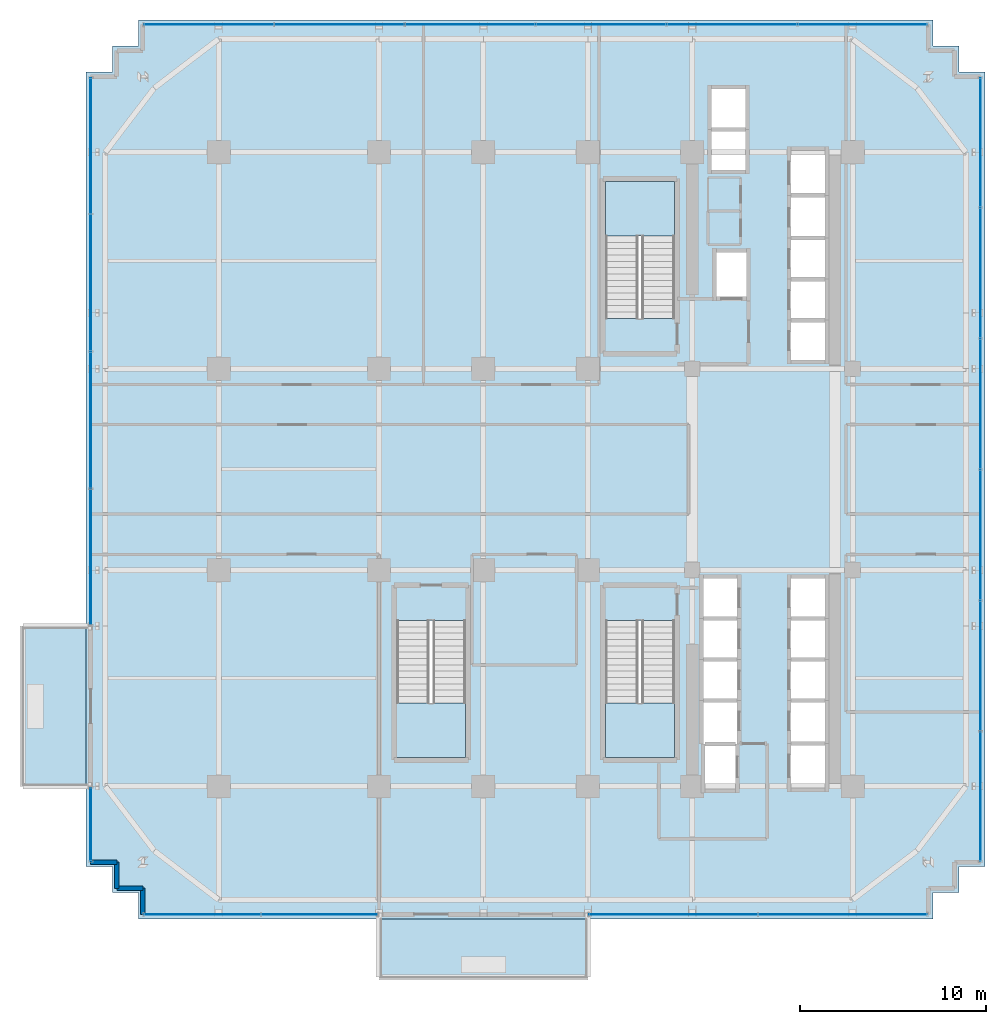
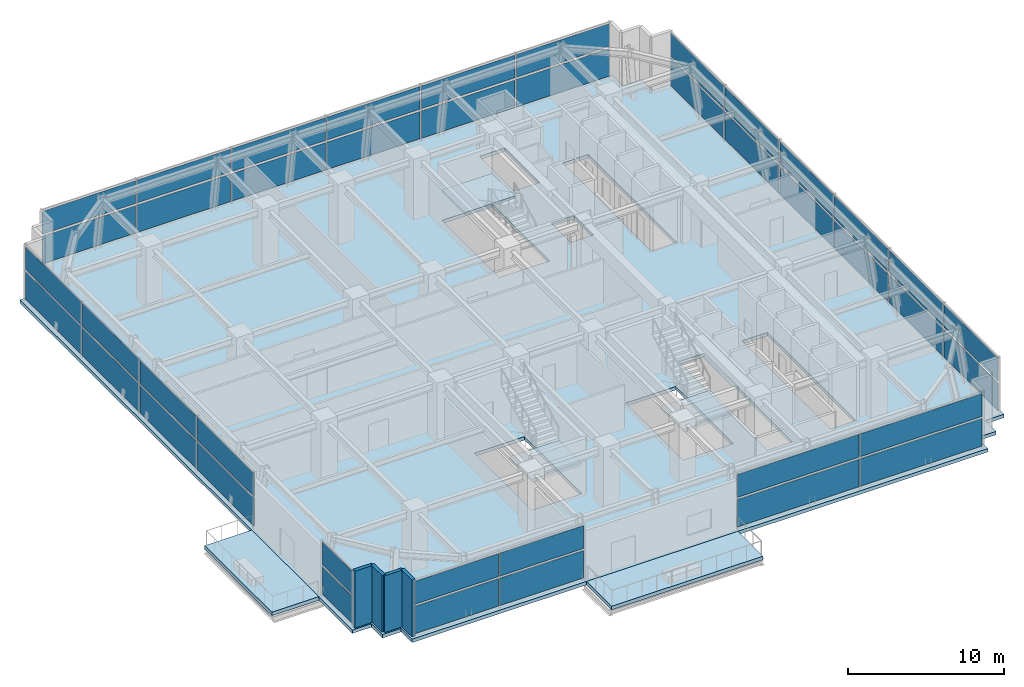
# One storey, part 19 of 26: 42 plates, 6 slabs, 4 walls, 9 elements without a shape of their own.
"""IFC4 building model written with IfcOpenShell, lengths in metres."""

from ifc_helpers import new_model, si_unit, direction, frame, frame_2d, origin, origin_2d, place, context, subcontext, project, spatial, polyline, rectangle, outline, extrude, source, transform, mapped, material, layer, layer_set, type_object, element, aggregate, save


model = new_model("IFC4")

# Units and contexts
model_context = context("Model", 3, precision=1e-05, world=origin(), true_north=direction((0.0, 1.0)))
body_context = subcontext(model_context, "Body", "Model", "MODEL_VIEW")
ifc_project = project(units=[si_unit("LENGTHUNIT", "METRE"), si_unit("AREAUNIT", "SQUARE_METRE"), si_unit("VOLUMEUNIT", "CUBIC_METRE"), si_unit("PLANEANGLEUNIT", "RADIAN"), si_unit("MASSUNIT", "GRAM", prefix="KILO")], contexts=[model_context])

# Site, building, storey
site_placement = place(None, origin())
site = spatial("IfcSite", under=ifc_project, at=site_placement, CompositionType="ELEMENT")
building_placement = place(site_placement, origin())
building = spatial("IfcBuilding", under=site, at=building_placement, Name="Nahalor Promenade Grand Hotel", CompositionType="ELEMENT")
storey_placement = place(building_placement, frame((0.0, 0.0, 139.39990234375)))
storey = spatial("IfcBuildingStorey", under=building, at=storey_placement, Name="L35", CompositionType="ELEMENT", Elevation=139.39990234375)

# Stair, slab
ifc_material_1 = material(Name="Concrete B-50 (C40/50)", Category="concrete")
stair_type_1 = type_object("IfcStairType", Name="Stair-ST1", PredefinedType="HALF_TURN_STAIR", material=ifc_material_1)
stair_1_placement = place(storey_placement, origin())
stair_1 = element("IfcStair", 1, at=stair_1_placement, inside=storey, type_object=stair_type_1, Name="L35 ST1", PredefinedType="HALF_TURN_STAIR")
ifc_layer_1 = layer(ifc_material_1, 0.199951171875)
ifc_layer_set_1 = layer_set([ifc_layer_1], Name="Concrete B-50 (C40/50)")
slab_type_1 = type_object("IfcSlabType", Name="Landing-ST1", PredefinedType="LANDING", material=ifc_layer_set_1)
slab_1_placement = place(storey_placement, frame((0.0, 0.0, 2.2001953125)))
slab_1 = element("IfcSlab", 2, at=slab_1_placement, type_object=slab_type_1, Name="ST1 landing 1", PredefinedType="LANDING", context=body_context, shape_type="SweptSolid", body=[
    extrude(outline(polyline([(7.449951171875, 12.52001953125), (7.449951171875, 15.449951171875), (3.75, 15.449951171875), (3.75, 12.52001953125), (7.449951171875, 12.52001953125)])), origin(), (0.0, 0.0, 1.0), 0.199951171875),
])
aggregate(stair_1, [slab_1])

stair_type_2 = type_object("IfcStairType", Name="Stair-ST2", PredefinedType="HALF_TURN_STAIR", material=ifc_material_1)
stair_2_placement = place(storey_placement, origin())
stair_2 = element("IfcStair", 3, at=stair_2_placement, inside=storey, type_object=stair_type_2, Name="L35 ST2", PredefinedType="HALF_TURN_STAIR")
ifc_layer_2 = layer(ifc_material_1, 0.2099609375)
ifc_layer_set_2 = layer_set([ifc_layer_2], Name="Concrete B-50 (C40/50)")
slab_type_2 = type_object("IfcSlabType", Name="Landing-ST2", PredefinedType="LANDING", material=ifc_layer_set_2)
slab_2_placement = place(storey_placement, frame((0.0, 0.0, 2.190185546875)))
slab_2 = element("IfcSlab", 4, at=slab_2_placement, type_object=slab_type_2, Name="ST2 landing 1", PredefinedType="LANDING", context=body_context, shape_type="SweptSolid", body=[
    extrude(outline(polyline([(3.75, -12.52001953125), (3.75, -15.449951171875), (7.449951171875, -15.449951171875), (7.449951171875, -12.52001953125), (3.75, -12.52001953125)])), origin(), (0.0, 0.0, 1.0), 0.2099609375),
])
aggregate(stair_2, [slab_2])

stair_type_3 = type_object("IfcStairType", Name="Stair-ST3", PredefinedType="HALF_TURN_STAIR", material=ifc_material_1)
stair_3_placement = place(storey_placement, origin())
stair_3 = element("IfcStair", 5, at=stair_3_placement, inside=storey, type_object=stair_type_3, Name="L35 ST3", PredefinedType="HALF_TURN_STAIR")
ifc_layer_3 = layer(ifc_material_1, 0.219970703125)
ifc_layer_set_3 = layer_set([ifc_layer_3], Name="Concrete B-50 (C40/50)")
slab_type_3 = type_object("IfcSlabType", Name="Landing-ST3", PredefinedType="LANDING", material=ifc_layer_set_3)
slab_3_placement = place(storey_placement, frame((0.0, 0.0, 2.18017578125)))
slab_3 = element("IfcSlab", 6, at=slab_3_placement, type_object=slab_type_3, Name="ST3 landing 1", PredefinedType="LANDING", context=body_context, shape_type="SweptSolid", body=[
    extrude(outline(polyline([(-7.449951171875, -12.52001953125), (-7.449951171875, -15.449951171875), (-3.75, -15.449951171875), (-3.75, -12.52001953125), (-7.449951171875, -12.52001953125)])), origin(), (0.0, 0.0, 1.0), 0.219970703125),
])
aggregate(stair_3, [slab_3])

# Slabs
ifc_layer_4 = layer(ifc_material_1, 0.280029296875)
ifc_layer_set_4 = layer_set([ifc_layer_4], Name="Concrete B-50 (C40/50)")
slab_type_4 = type_object("IfcSlabType", Name="Slab-Balcony-280", PredefinedType="FLOOR", material=ifc_layer_set_4)
slab_4_placement = place(storey_placement, frame((0.0, 0.0, -0.27978515625)))
element("IfcSlab", 7, at=slab_4_placement, inside=storey, type_object=slab_type_4, Name="L35 Cantilevered Planted Balcony 1", PredefinedType="FLOOR", context=body_context, shape_type="SweptSolid", body=[
    extrude(outline(polyline([(-8.39990234375, -27.31005859375), (2.800048828125, -27.31005859375), (2.800048828125, -24.10009765625), (-8.39990234375, -24.10009765625), (-8.39990234375, -27.31005859375)])), origin(), (0.0, 0.0, 1.0), 0.27978515625),
])
slab_5_placement = place(storey_placement, frame((0.0, 0.0, -0.27978515625)))
element("IfcSlab", 8, at=slab_5_placement, inside=storey, type_object=slab_type_4, Name="L35 Cantilevered Planted Balcony 2", PredefinedType="FLOOR", context=body_context, shape_type="SweptSolid", body=[
    extrude(outline(polyline([(-27.580078125, -17.0), (-24.10009765625, -17.0), (-24.10009765625, -8.39990234375), (-27.580078125, -8.39990234375), (-27.580078125, -17.0)])), origin(), (0.0, 0.0, 1.0), 0.27978515625),
])
ifc_layer_5 = layer(ifc_material_1, 0.27001953125)
ifc_layer_set_5 = layer_set([ifc_layer_5], Name="Concrete B-50 (C40/50)")
slab_type_5 = type_object("IfcSlabType", Name="Slab-TowerZ2-270", PredefinedType="FLOOR", material=ifc_layer_set_5)
slab_6_placement = place(storey_placement, frame((0.0, 0.0, -0.27001953125)))
element("IfcSlab", 9, at=slab_6_placement, inside=storey, type_object=slab_type_5, Name="L35 Suspended Structural Floor Slab", PredefinedType="FLOOR", context=body_context, shape_type="SweptSolid", body=[
    extrude(outline(polyline([(-21.300048828125, -24.10009765625), (21.300048828125, -24.10009765625), (21.300048828125, -22.699951171875), (22.699951171875, -22.699951171875), (22.699951171875, -21.300048828125), (24.10009765625, -21.300048828125), (24.10009765625, 21.300048828125), (22.699951171875, 21.300048828125), (22.699951171875, 22.699951171875), (21.300048828125, 22.699951171875), (21.300048828125, 24.10009765625), (-21.300048828125, 24.10009765625), (-21.300048828125, 22.699951171875), (-22.699951171875, 22.699951171875), (-22.699951171875, 21.300048828125), (-24.10009765625, 21.300048828125), (-24.10009765625, -21.300048828125), (-22.699951171875, -21.300048828125), (-22.699951171875, -22.699951171875), (-21.300048828125, -22.699951171875), (-21.300048828125, -24.10009765625)]), holes=[polyline([(3.75, 8.10009765625), (7.449951171875, 8.10009765625), (7.449951171875, 15.449951171875), (3.75, 15.449951171875), (3.75, 8.10009765625)]), polyline([(3.75, -15.449951171875), (7.449951171875, -15.449951171875), (7.449951171875, -8.10009765625), (3.75, -8.10009765625), (3.75, -15.449951171875)]), polyline([(-7.449951171875, -15.449951171875), (-3.75, -15.449951171875), (-3.75, -8.10009765625), (-7.449951171875, -8.10009765625), (-7.449951171875, -15.449951171875)]), polyline([(13.659912109375, 5.81005859375), (15.5400390625, 5.81005859375), (15.5400390625, 17.139892578125), (13.659912109375, 17.139892578125), (13.659912109375, 5.81005859375)]), polyline([(13.659912109375, -17.139892578125), (15.5400390625, -17.139892578125), (15.5400390625, -5.81005859375), (13.659912109375, -5.81005859375), (13.659912109375, -17.139892578125)]), polyline([(8.9599609375, -17.18994140625), (10.840087890625, -17.18994140625), (10.840087890625, -5.81005859375), (8.9599609375, -5.81005859375), (8.9599609375, -17.18994140625)]), polyline([(9.409912109375, 16.010009765625), (11.2900390625, 16.010009765625), (11.2900390625, 20.43994140625), (9.409912109375, 20.43994140625), (9.409912109375, 16.010009765625)]), polyline([(9.659912109375, 9.2099609375), (11.340087890625, 9.2099609375), (11.340087890625, 11.68994140625), (9.659912109375, 11.68994140625), (9.659912109375, 9.2099609375)])]), origin(), (0.0, 0.0, 1.0), 0.27001953125),
])

# Curtain wall, plates
ifc_material_2 = material(Name="Anodised Bronze Aluminium EN AW-6063 T6", Category="aluminium")
curtain_wall_type = type_object("IfcCurtainWallType", Name="CW5 Sky-Lobby & Observation Panoramic Curtain Wall", PredefinedType="USERDEFINED", material=ifc_material_2)
curtain_wall_1_placement = place(storey_placement, origin())
curtain_wall_1 = element("IfcCurtainWall", 10, at=curtain_wall_1_placement, inside=storey, type_object=curtain_wall_type, Name="L35 Curtain Wall CW-L35-S-1", ObjectType="UNITISED_CURTAIN_WALL", PredefinedType="USERDEFINED")
ifc_material_3 = material(Name="Low-E Laminated Solar Glass", Category="glass")
ifc_layer_6 = layer(ifc_material_3, 0.035888671875)
ifc_layer_set_6 = layer_set([ifc_layer_6], Name="Low-E Laminated Solar Glass")
plate_type = type_object("IfcPlateType", Name="CWP5 Observation Acoustic Triple IGU 36mm", PredefinedType="CURTAIN_PANEL", material=ifc_layer_set_6)
shared_shape_1 = source(origin(), body_context, "Body", "SweptSolid", [
    extrude(rectangle(XDim=6.202392578125, YDim=0.035888671875, at=origin_2d()), origin(), (0.0, 0.0, 1.0), 2.14501953125),
])
plate_1_placement = place(storey_placement, frame((-17.873779296875, -23.860107421875, 0.170166015625), z_axis=(0.0, 0.0, 1.0), x_axis=(1.0, 0.0, 0.0)))
plate_1 = element("IfcPlate", 11, at=plate_1_placement, type_object=plate_type, Name="CW-L35-S-1 Glazing Panel 0-0", PredefinedType="CURTAIN_PANEL", context=body_context, shape_type="MappedRepresentation", body=[
    mapped(shared_shape_1, transform((0.0, 0.0, 0.0), scale=1.0)),
])
plate_2_placement = place(storey_placement, frame((-11.586181640625, -23.860107421875, 0.170166015625), z_axis=(0.0, 0.0, 1.0), x_axis=(1.0, 0.0, 0.0)))
plate_2 = element("IfcPlate", 12, at=plate_2_placement, type_object=plate_type, Name="CW-L35-S-1 Glazing Panel 1-0", PredefinedType="CURTAIN_PANEL", context=body_context, shape_type="MappedRepresentation", body=[
    mapped(shared_shape_1, transform((0.0, 0.0, 0.0), scale=1.0)),
])
shared_shape_2 = source(origin(), body_context, "Body", "SweptSolid", [
    extrude(rectangle(XDim=6.202392578125, YDim=0.035888671875, at=origin_2d()), origin(), (0.0, 0.0, 1.0), 1.784912109375),
])
plate_3_placement = place(storey_placement, frame((-17.873779296875, -23.860107421875, 2.4853515625), z_axis=(0.0, 0.0, 1.0), x_axis=(1.0, 0.0, 0.0)))
plate_3 = element("IfcPlate", 13, at=plate_3_placement, type_object=plate_type, Name="CW-L35-S-1 Glazing Panel 0-1", PredefinedType="CURTAIN_PANEL", context=body_context, shape_type="MappedRepresentation", body=[
    mapped(shared_shape_2, transform((0.0, 0.0, 0.0), scale=1.0)),
])
plate_4_placement = place(storey_placement, frame((-11.586181640625, -23.860107421875, 2.4853515625), z_axis=(0.0, 0.0, 1.0), x_axis=(1.0, 0.0, 0.0)))
plate_4 = element("IfcPlate", 14, at=plate_4_placement, type_object=plate_type, Name="CW-L35-S-1 Glazing Panel 1-1", PredefinedType="CURTAIN_PANEL", context=body_context, shape_type="MappedRepresentation", body=[
    mapped(shared_shape_2, transform((0.0, 0.0, 0.0), scale=1.0)),
])
aggregate(curtain_wall_1, [plate_1, plate_3, plate_2, plate_4])

curtain_wall_2_placement = place(storey_placement, origin())
curtain_wall_2 = element("IfcCurtainWall", 15, at=curtain_wall_2_placement, inside=storey, type_object=curtain_wall_type, Name="L35 Curtain Wall CW-L35-S-3", ObjectType="UNITISED_CURTAIN_WALL", PredefinedType="USERDEFINED")
shared_shape_3 = source(origin(), body_context, "Body", "SweptSolid", [
    extrude(rectangle(XDim=9.00244140625, YDim=0.035888671875, at=origin_2d()), origin(), (0.0, 0.0, 1.0), 2.14501953125),
])
plate_5_placement = place(storey_placement, frame((7.38623046875, -23.860107421875, 0.170166015625), z_axis=(0.0, 0.0, 1.0), x_axis=(1.0, 0.0, 0.0)))
plate_5 = element("IfcPlate", 16, at=plate_5_placement, type_object=plate_type, Name="CW-L35-S-3 Glazing Panel 0-0", PredefinedType="CURTAIN_PANEL", context=body_context, shape_type="MappedRepresentation", body=[
    mapped(shared_shape_3, transform((0.0, 0.0, 0.0), scale=1.0)),
])
plate_6_placement = place(storey_placement, frame((16.4736328125, -23.860107421875, 0.170166015625), z_axis=(0.0, 0.0, 1.0), x_axis=(1.0, 0.0, 0.0)))
plate_6 = element("IfcPlate", 17, at=plate_6_placement, type_object=plate_type, Name="CW-L35-S-3 Glazing Panel 1-0", PredefinedType="CURTAIN_PANEL", context=body_context, shape_type="MappedRepresentation", body=[
    mapped(shared_shape_3, transform((0.0, 0.0, 0.0), scale=1.0)),
])
shared_shape_4 = source(origin(), body_context, "Body", "SweptSolid", [
    extrude(rectangle(XDim=9.00244140625, YDim=0.035888671875, at=origin_2d()), origin(), (0.0, 0.0, 1.0), 1.784912109375),
])
plate_7_placement = place(storey_placement, frame((7.38623046875, -23.860107421875, 2.4853515625), z_axis=(0.0, 0.0, 1.0), x_axis=(1.0, 0.0, 0.0)))
plate_7 = element("IfcPlate", 18, at=plate_7_placement, type_object=plate_type, Name="CW-L35-S-3 Glazing Panel 0-1", PredefinedType="CURTAIN_PANEL", context=body_context, shape_type="MappedRepresentation", body=[
    mapped(shared_shape_4, transform((0.0, 0.0, 0.0), scale=1.0)),
])
plate_8_placement = place(storey_placement, frame((16.4736328125, -23.860107421875, 2.4853515625), z_axis=(0.0, 0.0, 1.0), x_axis=(1.0, 0.0, 0.0)))
plate_8 = element("IfcPlate", 19, at=plate_8_placement, type_object=plate_type, Name="CW-L35-S-3 Glazing Panel 1-1", PredefinedType="CURTAIN_PANEL", context=body_context, shape_type="MappedRepresentation", body=[
    mapped(shared_shape_4, transform((0.0, 0.0, 0.0), scale=1.0)),
])
aggregate(curtain_wall_2, [plate_5, plate_7, plate_6, plate_8])

curtain_wall_3_placement = place(storey_placement, origin())
curtain_wall_3 = element("IfcCurtainWall", 20, at=curtain_wall_3_placement, inside=storey, type_object=curtain_wall_type, Name="L35 Curtain Wall CW-L35-N-1", ObjectType="UNITISED_CURTAIN_WALL", PredefinedType="USERDEFINED")
shared_shape_5 = source(origin(), body_context, "Body", "SweptSolid", [
    extrude(rectangle(XDim=6.892578125, YDim=0.035888671875, at=origin_2d()), origin(), (0.0, 0.0, 1.0), 2.14501953125),
])
plate_9_placement = place(storey_placement, frame((-17.52880859375, 23.860107421875, 0.170166015625), z_axis=(0.0, 0.0, 1.0), x_axis=(1.0, 0.0, 0.0)))
plate_9 = element("IfcPlate", 21, at=plate_9_placement, type_object=plate_type, Name="CW-L35-N-1 Glazing Panel 0-0", PredefinedType="CURTAIN_PANEL", context=body_context, shape_type="MappedRepresentation", body=[
    mapped(shared_shape_5, transform((0.0, 0.0, 0.0), scale=1.0)),
])
plate_10_placement = place(storey_placement, frame((17.52880859375, 23.860107421875, 0.170166015625), z_axis=(0.0, 0.0, 1.0), x_axis=(1.0, 0.0, 0.0)))
plate_10 = element("IfcPlate", 22, at=plate_10_placement, type_object=plate_type, Name="CW-L35-N-1 Glazing Panel 5-0", PredefinedType="CURTAIN_PANEL", context=body_context, shape_type="MappedRepresentation", body=[
    mapped(shared_shape_5, transform((0.0, 0.0, 0.0), scale=1.0)),
])

curtain_wall_4_placement = place(storey_placement, origin())
curtain_wall_4 = element("IfcCurtainWall", 23, at=curtain_wall_4_placement, inside=storey, type_object=curtain_wall_type, Name="L35 Curtain Wall CW-L35-E-1", ObjectType="UNITISED_CURTAIN_WALL", PredefinedType="USERDEFINED")
plate_11_placement = place(storey_placement, frame((23.860107421875, -17.52880859375, 0.170166015625), z_axis=(0.0, 0.0, 1.0), x_axis=(0.0, 1.0, 0.0)))
plate_11 = element("IfcPlate", 24, at=plate_11_placement, type_object=plate_type, Name="CW-L35-E-1 Glazing Panel 0-0", PredefinedType="CURTAIN_PANEL", context=body_context, shape_type="MappedRepresentation", body=[
    mapped(shared_shape_5, transform((0.0, 0.0, 0.0), scale=1.0)),
])
plate_12_placement = place(storey_placement, frame((23.860107421875, 17.52880859375, 0.170166015625), z_axis=(0.0, 0.0, 1.0), x_axis=(0.0, 1.0, 0.0)))
plate_12 = element("IfcPlate", 25, at=plate_12_placement, type_object=plate_type, Name="CW-L35-E-1 Glazing Panel 5-0", PredefinedType="CURTAIN_PANEL", context=body_context, shape_type="MappedRepresentation", body=[
    mapped(shared_shape_5, transform((0.0, 0.0, 0.0), scale=1.0)),
])

# Plate
shared_shape_6 = source(origin(), body_context, "Body", "SweptSolid", [
    extrude(rectangle(XDim=6.892578125, YDim=0.035888671875, at=origin_2d()), origin(), (0.0, 0.0, 1.0), 1.784912109375),
])
plate_13_placement = place(storey_placement, frame((-17.52880859375, 23.860107421875, 2.4853515625), z_axis=(0.0, 0.0, 1.0), x_axis=(1.0, 0.0, 0.0)))
plate_13 = element("IfcPlate", 26, at=plate_13_placement, type_object=plate_type, Name="CW-L35-N-1 Glazing Panel 0-1", PredefinedType="CURTAIN_PANEL", context=body_context, shape_type="MappedRepresentation", body=[
    mapped(shared_shape_6, transform((0.0, 0.0, 0.0), scale=1.0)),
])

plate_14_placement = place(storey_placement, frame((17.52880859375, 23.860107421875, 2.4853515625), z_axis=(0.0, 0.0, 1.0), x_axis=(1.0, 0.0, 0.0)))
plate_14 = element("IfcPlate", 27, at=plate_14_placement, type_object=plate_type, Name="CW-L35-N-1 Glazing Panel 5-1", PredefinedType="CURTAIN_PANEL", context=body_context, shape_type="MappedRepresentation", body=[
    mapped(shared_shape_6, transform((0.0, 0.0, 0.0), scale=1.0)),
])

plate_15_placement = place(storey_placement, frame((23.860107421875, -17.52880859375, 2.4853515625), z_axis=(0.0, 0.0, 1.0), x_axis=(0.0, 1.0, 0.0)))
plate_15 = element("IfcPlate", 28, at=plate_15_placement, type_object=plate_type, Name="CW-L35-E-1 Glazing Panel 0-1", PredefinedType="CURTAIN_PANEL", context=body_context, shape_type="MappedRepresentation", body=[
    mapped(shared_shape_6, transform((0.0, 0.0, 0.0), scale=1.0)),
])

plate_16_placement = place(storey_placement, frame((23.860107421875, 17.52880859375, 2.4853515625), z_axis=(0.0, 0.0, 1.0), x_axis=(0.0, 1.0, 0.0)))
plate_16 = element("IfcPlate", 29, at=plate_16_placement, type_object=plate_type, Name="CW-L35-E-1 Glazing Panel 5-1", PredefinedType="CURTAIN_PANEL", context=body_context, shape_type="MappedRepresentation", body=[
    mapped(shared_shape_6, transform((0.0, 0.0, 0.0), scale=1.0)),
])

shared_shape_7 = source(origin(), body_context, "Body", "SweptSolid", [
    extrude(rectangle(XDim=6.93505859375, YDim=0.035888671875, at=origin_2d()), origin(), (0.0, 0.0, 1.0), 2.14501953125),
])
plate_17_placement = place(storey_placement, frame((-10.530029296875, 23.860107421875, 0.170166015625), z_axis=(0.0, 0.0, 1.0), x_axis=(1.0, 0.0, 0.0)))
plate_17 = element("IfcPlate", 30, at=plate_17_placement, type_object=plate_type, Name="CW-L35-N-1 Glazing Panel 1-0", PredefinedType="CURTAIN_PANEL", context=body_context, shape_type="MappedRepresentation", body=[
    mapped(shared_shape_7, transform((0.0, 0.0, 0.0), scale=1.0)),
])

plate_18_placement = place(storey_placement, frame((-3.510009765625, 23.860107421875, 0.170166015625), z_axis=(0.0, 0.0, 1.0), x_axis=(1.0, 0.0, 0.0)))
plate_18 = element("IfcPlate", 31, at=plate_18_placement, type_object=plate_type, Name="CW-L35-N-1 Glazing Panel 2-0", PredefinedType="CURTAIN_PANEL", context=body_context, shape_type="MappedRepresentation", body=[
    mapped(shared_shape_7, transform((0.0, 0.0, 0.0), scale=1.0)),
])

plate_19_placement = place(storey_placement, frame((3.510009765625, 23.860107421875, 0.170166015625), z_axis=(0.0, 0.0, 1.0), x_axis=(1.0, 0.0, 0.0)))
plate_19 = element("IfcPlate", 32, at=plate_19_placement, type_object=plate_type, Name="CW-L35-N-1 Glazing Panel 3-0", PredefinedType="CURTAIN_PANEL", context=body_context, shape_type="MappedRepresentation", body=[
    mapped(shared_shape_7, transform((0.0, 0.0, 0.0), scale=1.0)),
])

plate_20_placement = place(storey_placement, frame((10.530029296875, 23.860107421875, 0.170166015625), z_axis=(0.0, 0.0, 1.0), x_axis=(1.0, 0.0, 0.0)))
plate_20 = element("IfcPlate", 33, at=plate_20_placement, type_object=plate_type, Name="CW-L35-N-1 Glazing Panel 4-0", PredefinedType="CURTAIN_PANEL", context=body_context, shape_type="MappedRepresentation", body=[
    mapped(shared_shape_7, transform((0.0, 0.0, 0.0), scale=1.0)),
])

plate_21_placement = place(storey_placement, frame((23.860107421875, -10.530029296875, 0.170166015625), z_axis=(0.0, 0.0, 1.0), x_axis=(0.0, 1.0, 0.0)))
plate_21 = element("IfcPlate", 34, at=plate_21_placement, type_object=plate_type, Name="CW-L35-E-1 Glazing Panel 1-0", PredefinedType="CURTAIN_PANEL", context=body_context, shape_type="MappedRepresentation", body=[
    mapped(shared_shape_7, transform((0.0, 0.0, 0.0), scale=1.0)),
])

plate_22_placement = place(storey_placement, frame((23.860107421875, -3.510009765625, 0.170166015625), z_axis=(0.0, 0.0, 1.0), x_axis=(0.0, 1.0, 0.0)))
plate_22 = element("IfcPlate", 35, at=plate_22_placement, type_object=plate_type, Name="CW-L35-E-1 Glazing Panel 2-0", PredefinedType="CURTAIN_PANEL", context=body_context, shape_type="MappedRepresentation", body=[
    mapped(shared_shape_7, transform((0.0, 0.0, 0.0), scale=1.0)),
])

plate_23_placement = place(storey_placement, frame((23.860107421875, 3.510009765625, 0.170166015625), z_axis=(0.0, 0.0, 1.0), x_axis=(0.0, 1.0, 0.0)))
plate_23 = element("IfcPlate", 36, at=plate_23_placement, type_object=plate_type, Name="CW-L35-E-1 Glazing Panel 3-0", PredefinedType="CURTAIN_PANEL", context=body_context, shape_type="MappedRepresentation", body=[
    mapped(shared_shape_7, transform((0.0, 0.0, 0.0), scale=1.0)),
])

plate_24_placement = place(storey_placement, frame((23.860107421875, 10.530029296875, 0.170166015625), z_axis=(0.0, 0.0, 1.0), x_axis=(0.0, 1.0, 0.0)))
plate_24 = element("IfcPlate", 37, at=plate_24_placement, type_object=plate_type, Name="CW-L35-E-1 Glazing Panel 4-0", PredefinedType="CURTAIN_PANEL", context=body_context, shape_type="MappedRepresentation", body=[
    mapped(shared_shape_7, transform((0.0, 0.0, 0.0), scale=1.0)),
])

shared_shape_8 = source(origin(), body_context, "Body", "SweptSolid", [
    extrude(rectangle(XDim=6.93505859375, YDim=0.035888671875, at=origin_2d()), origin(), (0.0, 0.0, 1.0), 1.784912109375),
])
plate_25_placement = place(storey_placement, frame((-10.530029296875, 23.860107421875, 2.4853515625), z_axis=(0.0, 0.0, 1.0), x_axis=(1.0, 0.0, 0.0)))
plate_25 = element("IfcPlate", 38, at=plate_25_placement, type_object=plate_type, Name="CW-L35-N-1 Glazing Panel 1-1", PredefinedType="CURTAIN_PANEL", context=body_context, shape_type="MappedRepresentation", body=[
    mapped(shared_shape_8, transform((0.0, 0.0, 0.0), scale=1.0)),
])

plate_26_placement = place(storey_placement, frame((-3.510009765625, 23.860107421875, 2.4853515625), z_axis=(0.0, 0.0, 1.0), x_axis=(1.0, 0.0, 0.0)))
plate_26 = element("IfcPlate", 39, at=plate_26_placement, type_object=plate_type, Name="CW-L35-N-1 Glazing Panel 2-1", PredefinedType="CURTAIN_PANEL", context=body_context, shape_type="MappedRepresentation", body=[
    mapped(shared_shape_8, transform((0.0, 0.0, 0.0), scale=1.0)),
])

plate_27_placement = place(storey_placement, frame((3.510009765625, 23.860107421875, 2.4853515625), z_axis=(0.0, 0.0, 1.0), x_axis=(1.0, 0.0, 0.0)))
plate_27 = element("IfcPlate", 40, at=plate_27_placement, type_object=plate_type, Name="CW-L35-N-1 Glazing Panel 3-1", PredefinedType="CURTAIN_PANEL", context=body_context, shape_type="MappedRepresentation", body=[
    mapped(shared_shape_8, transform((0.0, 0.0, 0.0), scale=1.0)),
])

plate_28_placement = place(storey_placement, frame((10.530029296875, 23.860107421875, 2.4853515625), z_axis=(0.0, 0.0, 1.0), x_axis=(1.0, 0.0, 0.0)))
plate_28 = element("IfcPlate", 41, at=plate_28_placement, type_object=plate_type, Name="CW-L35-N-1 Glazing Panel 4-1", PredefinedType="CURTAIN_PANEL", context=body_context, shape_type="MappedRepresentation", body=[
    mapped(shared_shape_8, transform((0.0, 0.0, 0.0), scale=1.0)),
])

aggregate(curtain_wall_3, [plate_9, plate_13, plate_17, plate_25, plate_18, plate_26, plate_19, plate_27, plate_20, plate_28, plate_10, plate_14])

plate_29_placement = place(storey_placement, frame((23.860107421875, -10.530029296875, 2.4853515625), z_axis=(0.0, 0.0, 1.0), x_axis=(0.0, 1.0, 0.0)))
plate_29 = element("IfcPlate", 42, at=plate_29_placement, type_object=plate_type, Name="CW-L35-E-1 Glazing Panel 1-1", PredefinedType="CURTAIN_PANEL", context=body_context, shape_type="MappedRepresentation", body=[
    mapped(shared_shape_8, transform((0.0, 0.0, 0.0), scale=1.0)),
])

plate_30_placement = place(storey_placement, frame((23.860107421875, -3.510009765625, 2.4853515625), z_axis=(0.0, 0.0, 1.0), x_axis=(0.0, 1.0, 0.0)))
plate_30 = element("IfcPlate", 43, at=plate_30_placement, type_object=plate_type, Name="CW-L35-E-1 Glazing Panel 2-1", PredefinedType="CURTAIN_PANEL", context=body_context, shape_type="MappedRepresentation", body=[
    mapped(shared_shape_8, transform((0.0, 0.0, 0.0), scale=1.0)),
])

plate_31_placement = place(storey_placement, frame((23.860107421875, 3.510009765625, 2.4853515625), z_axis=(0.0, 0.0, 1.0), x_axis=(0.0, 1.0, 0.0)))
plate_31 = element("IfcPlate", 44, at=plate_31_placement, type_object=plate_type, Name="CW-L35-E-1 Glazing Panel 3-1", PredefinedType="CURTAIN_PANEL", context=body_context, shape_type="MappedRepresentation", body=[
    mapped(shared_shape_8, transform((0.0, 0.0, 0.0), scale=1.0)),
])

plate_32_placement = place(storey_placement, frame((23.860107421875, 10.530029296875, 2.4853515625), z_axis=(0.0, 0.0, 1.0), x_axis=(0.0, 1.0, 0.0)))
plate_32 = element("IfcPlate", 45, at=plate_32_placement, type_object=plate_type, Name="CW-L35-E-1 Glazing Panel 4-1", PredefinedType="CURTAIN_PANEL", context=body_context, shape_type="MappedRepresentation", body=[
    mapped(shared_shape_8, transform((0.0, 0.0, 0.0), scale=1.0)),
])

aggregate(curtain_wall_4, [plate_11, plate_15, plate_21, plate_29, plate_22, plate_30, plate_23, plate_31, plate_24, plate_32, plate_12, plate_16])

# Curtain wall, plates
curtain_wall_5_placement = place(storey_placement, origin())
curtain_wall_5 = element("IfcCurtainWall", 46, at=curtain_wall_5_placement, inside=storey, type_object=curtain_wall_type, Name="L35 Curtain Wall CW-L35-W-1", ObjectType="UNITISED_CURTAIN_WALL", PredefinedType="USERDEFINED")
shared_shape_9 = source(origin(), body_context, "Body", "SweptSolid", [
    extrude(rectangle(XDim=3.889892578125, YDim=0.035888671875, at=origin_2d()), origin(), (0.0, 0.0, 1.0), 2.14501953125),
])
plate_33_placement = place(storey_placement, frame((-23.860107421875, -19.030029296875, 0.170166015625), z_axis=(0.0, 0.0, 1.0), x_axis=(0.0, 1.0, 0.0)))
plate_33 = element("IfcPlate", 47, at=plate_33_placement, type_object=plate_type, Name="CW-L35-W-1 Glazing Panel 0-0", PredefinedType="CURTAIN_PANEL", context=body_context, shape_type="MappedRepresentation", body=[
    mapped(shared_shape_9, transform((0.0, 0.0, 0.0), scale=1.0)),
])
shared_shape_10 = source(origin(), body_context, "Body", "SweptSolid", [
    extrude(rectangle(XDim=3.889892578125, YDim=0.035888671875, at=origin_2d()), origin(), (0.0, 0.0, 1.0), 1.784912109375),
])
plate_34_placement = place(storey_placement, frame((-23.860107421875, -19.030029296875, 2.4853515625), z_axis=(0.0, 0.0, 1.0), x_axis=(0.0, 1.0, 0.0)))
plate_34 = element("IfcPlate", 48, at=plate_34_placement, type_object=plate_type, Name="CW-L35-W-1 Glazing Panel 0-1", PredefinedType="CURTAIN_PANEL", context=body_context, shape_type="MappedRepresentation", body=[
    mapped(shared_shape_10, transform((0.0, 0.0, 0.0), scale=1.0)),
])
aggregate(curtain_wall_5, [plate_33, plate_34])

curtain_wall_6_placement = place(storey_placement, origin())
curtain_wall_6 = element("IfcCurtainWall", 49, at=curtain_wall_6_placement, inside=storey, type_object=curtain_wall_type, Name="L35 Curtain Wall CW-L35-W-3", ObjectType="UNITISED_CURTAIN_WALL", PredefinedType="USERDEFINED")
shared_shape_11 = source(origin(), body_context, "Body", "SweptSolid", [
    extrude(rectangle(XDim=7.237548828125, YDim=0.035888671875, at=origin_2d()), origin(), (0.0, 0.0, 1.0), 2.14501953125),
])
plate_35_placement = place(storey_placement, frame((-23.860107421875, -4.6962890625, 0.170166015625), z_axis=(0.0, 0.0, 1.0), x_axis=(0.0, 1.0, 0.0)))
plate_35 = element("IfcPlate", 50, at=plate_35_placement, type_object=plate_type, Name="CW-L35-W-3 Glazing Panel 0-0", PredefinedType="CURTAIN_PANEL", context=body_context, shape_type="MappedRepresentation", body=[
    mapped(shared_shape_11, transform((0.0, 0.0, 0.0), scale=1.0)),
])
plate_36_placement = place(storey_placement, frame((-23.860107421875, 17.356201171875, 0.170166015625), z_axis=(0.0, 0.0, 1.0), x_axis=(0.0, 1.0, 0.0)))
plate_36 = element("IfcPlate", 51, at=plate_36_placement, type_object=plate_type, Name="CW-L35-W-3 Glazing Panel 3-0", PredefinedType="CURTAIN_PANEL", context=body_context, shape_type="MappedRepresentation", body=[
    mapped(shared_shape_11, transform((0.0, 0.0, 0.0), scale=1.0)),
])
shared_shape_12 = source(origin(), body_context, "Body", "SweptSolid", [
    extrude(rectangle(XDim=7.237548828125, YDim=0.035888671875, at=origin_2d()), origin(), (0.0, 0.0, 1.0), 1.784912109375),
])
plate_37_placement = place(storey_placement, frame((-23.860107421875, -4.6962890625, 2.4853515625), z_axis=(0.0, 0.0, 1.0), x_axis=(0.0, 1.0, 0.0)))
plate_37 = element("IfcPlate", 52, at=plate_37_placement, type_object=plate_type, Name="CW-L35-W-3 Glazing Panel 0-1", PredefinedType="CURTAIN_PANEL", context=body_context, shape_type="MappedRepresentation", body=[
    mapped(shared_shape_12, transform((0.0, 0.0, 0.0), scale=1.0)),
])
plate_38_placement = place(storey_placement, frame((-23.860107421875, 17.356201171875, 2.4853515625), z_axis=(0.0, 0.0, 1.0), x_axis=(0.0, 1.0, 0.0)))
plate_38 = element("IfcPlate", 53, at=plate_38_placement, type_object=plate_type, Name="CW-L35-W-3 Glazing Panel 3-1", PredefinedType="CURTAIN_PANEL", context=body_context, shape_type="MappedRepresentation", body=[
    mapped(shared_shape_12, transform((0.0, 0.0, 0.0), scale=1.0)),
])
shared_shape_13 = source(origin(), body_context, "Body", "SweptSolid", [
    extrude(rectangle(XDim=7.280029296875, YDim=0.035888671875, at=origin_2d()), origin(), (0.0, 0.0, 1.0), 2.14501953125),
])
plate_39_placement = place(storey_placement, frame((-23.860107421875, 2.6474609375, 0.170166015625), z_axis=(0.0, 0.0, 1.0), x_axis=(0.0, 1.0, 0.0)))
plate_39 = element("IfcPlate", 54, at=plate_39_placement, type_object=plate_type, Name="CW-L35-W-3 Glazing Panel 1-0", PredefinedType="CURTAIN_PANEL", context=body_context, shape_type="MappedRepresentation", body=[
    mapped(shared_shape_13, transform((0.0, 0.0, 0.0), scale=1.0)),
])
plate_40_placement = place(storey_placement, frame((-23.860107421875, 10.012451171875, 0.170166015625), z_axis=(0.0, 0.0, 1.0), x_axis=(0.0, 1.0, 0.0)))
plate_40 = element("IfcPlate", 55, at=plate_40_placement, type_object=plate_type, Name="CW-L35-W-3 Glazing Panel 2-0", PredefinedType="CURTAIN_PANEL", context=body_context, shape_type="MappedRepresentation", body=[
    mapped(shared_shape_13, transform((0.0, 0.0, 0.0), scale=1.0)),
])
shared_shape_14 = source(origin(), body_context, "Body", "SweptSolid", [
    extrude(rectangle(XDim=7.280029296875, YDim=0.035888671875, at=origin_2d()), origin(), (0.0, 0.0, 1.0), 1.784912109375),
])
plate_41_placement = place(storey_placement, frame((-23.860107421875, 2.6474609375, 2.4853515625), z_axis=(0.0, 0.0, 1.0), x_axis=(0.0, 1.0, 0.0)))
plate_41 = element("IfcPlate", 56, at=plate_41_placement, type_object=plate_type, Name="CW-L35-W-3 Glazing Panel 1-1", PredefinedType="CURTAIN_PANEL", context=body_context, shape_type="MappedRepresentation", body=[
    mapped(shared_shape_14, transform((0.0, 0.0, 0.0), scale=1.0)),
])
plate_42_placement = place(storey_placement, frame((-23.860107421875, 10.012451171875, 2.4853515625), z_axis=(0.0, 0.0, 1.0), x_axis=(0.0, 1.0, 0.0)))
plate_42 = element("IfcPlate", 57, at=plate_42_placement, type_object=plate_type, Name="CW-L35-W-3 Glazing Panel 2-1", PredefinedType="CURTAIN_PANEL", context=body_context, shape_type="MappedRepresentation", body=[
    mapped(shared_shape_14, transform((0.0, 0.0, 0.0), scale=1.0)),
])
aggregate(curtain_wall_6, [plate_35, plate_37, plate_39, plate_41, plate_40, plate_42, plate_36, plate_38])

# Walls
ifc_material_4 = material(Name="Concrete B-40 (C32/40)", Category="concrete")
ifc_layer_7 = layer(ifc_material_4, 0.25)
ifc_layer_set_7 = layer_set([ifc_layer_7], Name="Concrete B-40 (C32/40)")
wall_type = type_object("IfcWallType", Name="Wall-BronzePier-250", PredefinedType="STANDARD", material=ifc_layer_set_7)
shared_shape_15 = source(origin(), body_context, "Body", "SweptSolid", [
    extrude(rectangle(XDim=1.400146484375, YDim=0.25, at=frame_2d((0.7001953125, 0.0))), origin(), (0.0, 0.0, 1.0), 4.440185546875),
])
for number, where, z_axis, x_axis, name in (
    (58, (-23.860107421875, -21.06005859375, 0.0), (0.0, 0.0, 1.0), (1.0, 0.0, 0.0), "W-L35-SR-13"),
    (59, (-21.06005859375, -23.860107421875, 0.0), (0.0, 0.0, 1.0), (0.0, 1.0, 0.0), "W-L35-SR-16"),
):
    element("IfcWall", number, at=place(storey_placement, frame(where, z_axis=z_axis, x_axis=x_axis)), inside=storey, type_object=wall_type, Name=name, PredefinedType="STANDARD", context=body_context, shape_type="MappedRepresentation", body=[
        mapped(shared_shape_15, transform((0.0, 0.0, 0.0), scale=1.0)),
    ])
shared_shape_16 = source(origin(), body_context, "Body", "SweptSolid", [
    extrude(rectangle(XDim=1.39990234375, YDim=0.25, at=frame_2d((0.699951171875, 0.0))), origin(), (0.0, 0.0, 1.0), 4.440185546875),
])
for number, where, z_axis, x_axis, name in (
    (60, (-22.4599609375, -22.4599609375, 0.0), (0.0, 0.0, 1.0), (0.0, 1.0, 0.0), "W-L35-SR-14"),
    (61, (-22.4599609375, -22.4599609375, 0.0), (0.0, 0.0, 1.0), (1.0, 0.0, 0.0), "W-L35-SR-15"),
):
    element("IfcWall", number, at=place(storey_placement, frame(where, z_axis=z_axis, x_axis=x_axis)), inside=storey, type_object=wall_type, Name=name, PredefinedType="STANDARD", context=body_context, shape_type="MappedRepresentation", body=[
        mapped(shared_shape_16, transform((0.0, 0.0, 0.0), scale=1.0)),
    ])

save(model, "model.ifc")
